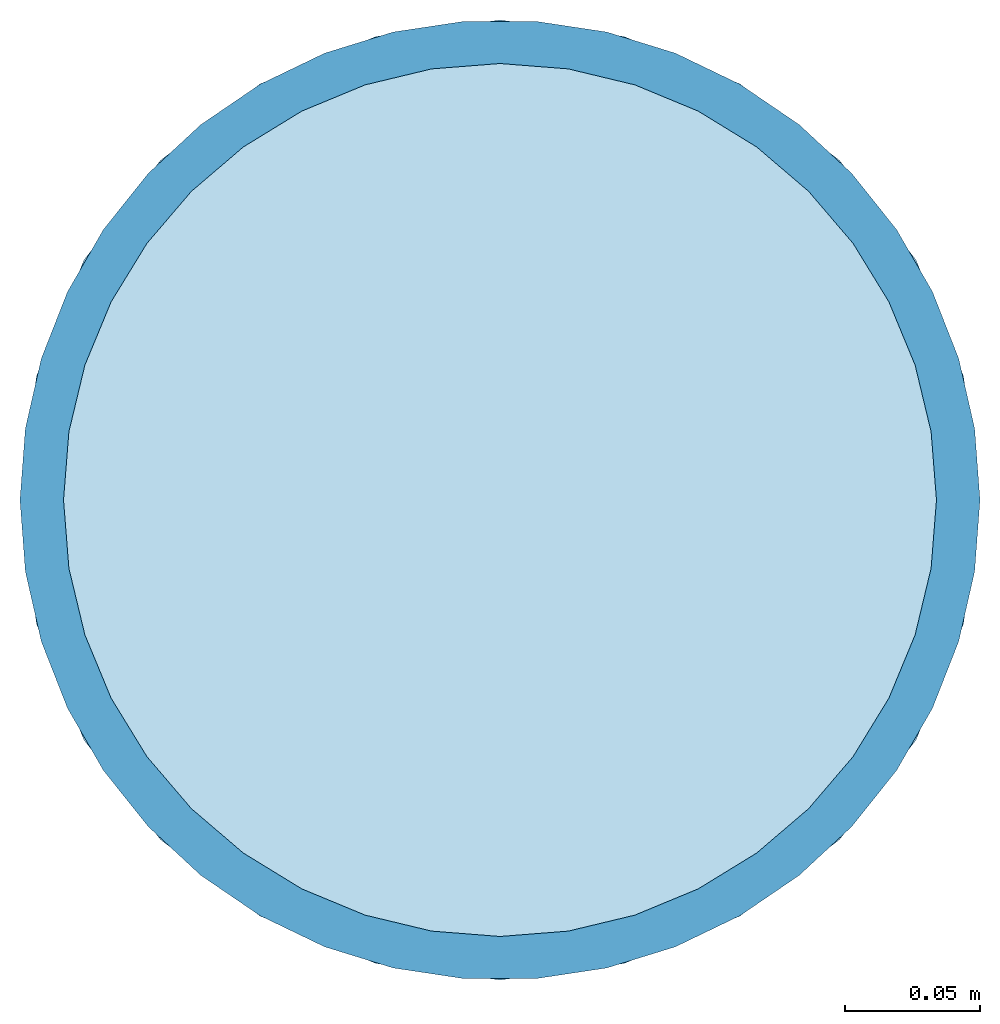
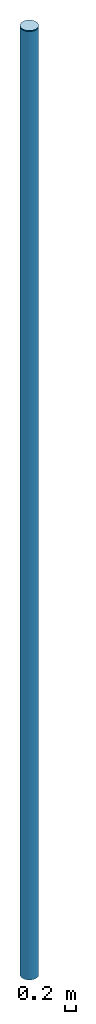
# One storey: 1 member, 1 plate.
"""IFC4 building model written with IfcOpenShell, lengths in metres."""

from ifc_helpers import new_model, si_unit, direction, frame, origin, origin_with_axes, origin_2d, place, context, subcontext, project, spatial, polyline, hollow_circle, outline, extrude, material, layer, layer_set, material_profile, profile_set, type_object, element, save


model = new_model("IFC4")

# Units and contexts
model_context = context("Model", 3, precision=1e-05, world=origin(), true_north=direction((0.0, 1.0)))
body_context = subcontext(model_context, "Body", "Model", "MODEL_VIEW")
ifc_project = project(units=[si_unit("LENGTHUNIT", "METRE"), si_unit("AREAUNIT", "SQUARE_METRE"), si_unit("VOLUMEUNIT", "CUBIC_METRE"), si_unit("PLANEANGLEUNIT", "RADIAN"), si_unit("MASSUNIT", "GRAM", prefix="KILO")], contexts=[model_context])

# Site, building, storey
site_placement = place(None, origin())
site = spatial("IfcSite", under=ifc_project, at=site_placement, CompositionType="ELEMENT")
building_placement = place(site_placement, origin())
building = spatial("IfcBuilding", under=site, at=building_placement, Name="Tarnside Tower", CompositionType="ELEMENT")
storey_placement = place(building_placement, frame((0.0, 0.0, 425.25)))
storey = spatial("IfcBuildingStorey", under=building, at=storey_placement, Name="UPPER ROOF", CompositionType="ELEMENT", Elevation=425.25)

# Member
ifc_material = material(Name="Steel S355", Category="steel")
ifc_material_profile = material_profile(ifc_material, hollow_circle(Radius=0.177734375, WallThickness=0.01611328125, at=origin_2d()), Name="CHS 355.6x16")
ifc_profile_set = profile_set([ifc_material_profile], Name="Steel S355")
member_type = type_object("IfcMemberType", Name="Spire CHS 355.6x16", PredefinedType="POST", material=ifc_profile_set)
member_placement = place(storey_placement, origin_with_axes())
element("IfcMember", 1, at=member_placement, inside=storey, type_object=member_type, Name="SPIRE", PredefinedType="POST", context=body_context, shape_type="SweptSolid", body=[
    extrude(hollow_circle(Radius=0.177734375, WallThickness=0.01611328125, at=origin_2d()), origin(), (0.0, 0.0, 1.0), 22.0),
])

# Plate
ifc_layer = layer(ifc_material, 0.02001953125)
ifc_layer_set = layer_set([ifc_layer], Name="Spire cap plate 20")
plate_type = type_object("IfcPlateType", Name="Spire cap plate 20", PredefinedType="SHEET", material=ifc_layer_set)
plate_placement = place(storey_placement, frame((0.0, 0.0, 22.0)))
element("IfcPlate", 2, at=plate_placement, inside=storey, type_object=plate_type, Name="Spire cap plate", PredefinedType="SHEET", context=body_context, shape_type="SweptSolid", body=[
    extrude(outline(polyline([(0.177734375, 0.0), (0.171630859375, 0.0458984375), (0.154052734375, 0.0888671875), (0.125732421875, 0.125732421875), (0.0888671875, 0.154052734375), (0.0458984375, 0.171630859375), (0.0, 0.177734375), (-0.0458984375, 0.171630859375), (-0.0888671875, 0.154052734375), (-0.125732421875, 0.125732421875), (-0.154052734375, 0.0888671875), (-0.171630859375, 0.0458984375), (-0.177734375, 0.0), (-0.171630859375, -0.0458984375), (-0.154052734375, -0.0888671875), (-0.125732421875, -0.125732421875), (-0.0888671875, -0.154052734375), (-0.0458984375, -0.171630859375), (0.0, -0.177734375), (0.0458984375, -0.171630859375), (0.0888671875, -0.154052734375), (0.125732421875, -0.125732421875), (0.154052734375, -0.0888671875), (0.171630859375, -0.0458984375), (0.177734375, 0.0)])), origin(), (0.0, 0.0, 1.0), 0.02001953125),
])

save(model, "model.ifc")
